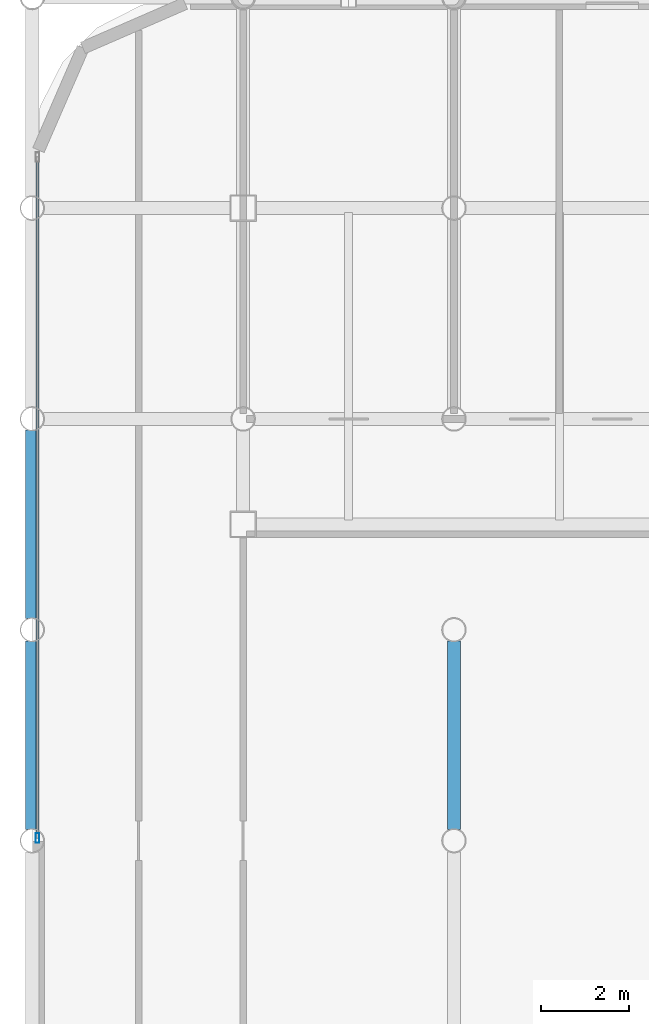
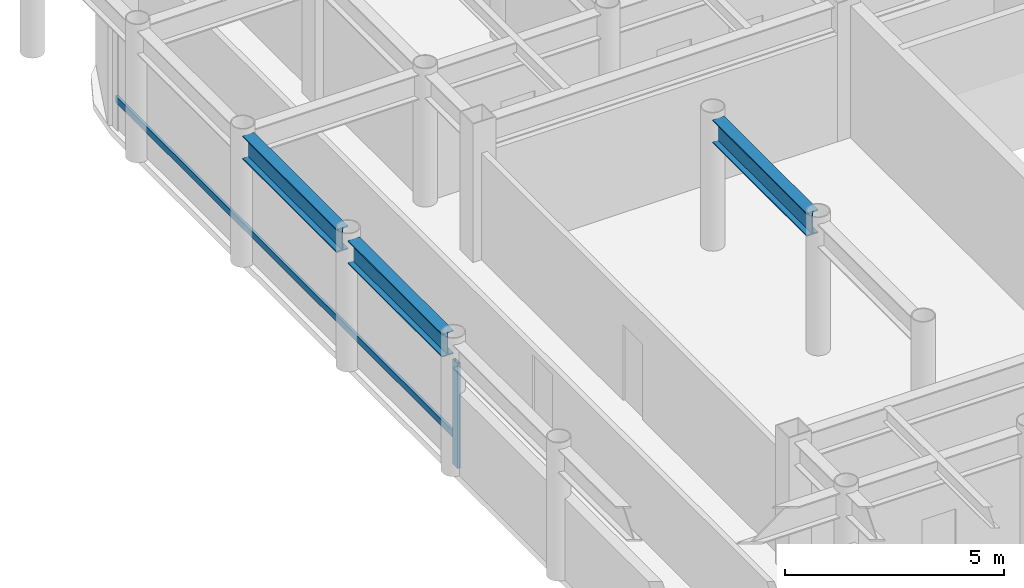
# One storey, part 6 of 21: 3 beams, 2 members, 1 element without a shape of its own.
"""IFC4 building model written with IfcOpenShell, lengths in metres."""

from ifc_helpers import new_model, si_unit, direction, frame, origin, origin_2d, place, context, subcontext, project, spatial, hollow_rectangle, i_section, extrude, material, layer, layer_set, material_profile, profile_set, type_object, element, aggregate, save


model = new_model("IFC4")

# Units and contexts
model_context = context("Model", 3, precision=1e-05, world=origin(), true_north=direction((0.0, 1.0)))
body_context = subcontext(model_context, "Body", "Model", "MODEL_VIEW")
ifc_project = project(units=[si_unit("LENGTHUNIT", "METRE"), si_unit("AREAUNIT", "SQUARE_METRE"), si_unit("VOLUMEUNIT", "CUBIC_METRE"), si_unit("PLANEANGLEUNIT", "RADIAN"), si_unit("MASSUNIT", "GRAM", prefix="KILO")], contexts=[model_context])

# Site, building, storey
site_placement = place(None, origin())
site = spatial("IfcSite", under=ifc_project, at=site_placement, CompositionType="ELEMENT")
building_placement = place(site_placement, origin())
building = spatial("IfcBuilding", under=site, at=building_placement, Name="Kallvorn Hotel Tower", CompositionType="ELEMENT")
storey_placement = place(building_placement, frame((0.0, 0.0, 214.60009765625)))
storey = spatial("IfcBuildingStorey", under=building, at=storey_placement, Name="L53", CompositionType="ELEMENT", Elevation=214.60009765625)

# Beams
ifc_material_1 = material(Name="Structural steel S355JR", Category="steel")
ifc_material_profile_1 = material_profile(ifc_material_1, i_section(OverallWidth=0.300048828125, OverallDepth=0.64990234375, WebThickness=0.01611328125, FlangeThickness=0.031005859375, at=origin_2d()), Name="HE 650 B")
ifc_profile_set_1 = profile_set([ifc_material_profile_1], Name="Structural steel S355JR")
beam_type = type_object("IfcBeamType", Name="BM_HE650B", PredefinedType="BEAM", material=ifc_profile_set_1)
for number, where, z_axis, x_axis, name in (
    (1, (-28.800048828125, 0.25439453125, 3.344970703125), (0.0, 1.0, 0.0), (-1.0, 0.0, 0.0), "L54 Primary Y-Girder 77"),
    (2, (-28.800048828125, 5.054443359375, 3.344970703125), (0.0, 1.0, 0.0), (-1.0, 0.0, 0.0), "L54 Primary Y-Girder 78"),
    (3, (-19.199951171875, 0.25439453125, 3.344970703125), (0.0, 1.0, 0.0), (-1.0, 0.0, 0.0), "L54 Primary Y-Girder 93"),
):
    element("IfcBeam", number, at=place(storey_placement, frame(where, z_axis=z_axis, x_axis=x_axis)), inside=storey, type_object=beam_type, Name=name, PredefinedType="BEAM", context=body_context, shape_type="SweptSolid", body=[
        extrude(i_section(OverallWidth=0.300048828125, OverallDepth=0.64990234375, WebThickness=0.01611328125, FlangeThickness=0.031005859375, at=origin_2d()), origin(), (0.0, 0.0, 1.0), 4.291015625),
    ])

# Curtain wall, members
ifc_material_2 = material(Name="Thermally broken black-anodised aluminium AA 6063-T6", Category="aluminium")
ifc_layer = layer(ifc_material_2, 0.22998046875)
ifc_layer_set = layer_set([ifc_layer], Name="CW_SYS_5_HOTEL_HIGH")
curtain_wall_type = type_object("IfcCurtainWallType", Name="CW_SYS_5_HOTEL_HIGH", PredefinedType="USERDEFINED", material=ifc_layer_set)
curtain_wall_placement = place(storey_placement, origin())
curtain_wall = element("IfcCurtainWall", 4, at=curtain_wall_placement, inside=storey, type_object=curtain_wall_type, Name="L53 Dark-Glass Curtain Wall CW-L53-WN", ObjectType="UNITISED CURTAIN WALL", PredefinedType="USERDEFINED")
ifc_material_3 = material(Name="Thermally broken black-anodised aluminium AA 6063-T6", Category="aluminium")
ifc_material_profile_2 = material_profile(ifc_material_3, hollow_rectangle(XDim=0.080078125, YDim=0.219970703125, WallThickness=0.0048828125, at=origin_2d()), Name="MUL 220x80")
ifc_profile_set_2 = profile_set([ifc_material_profile_2], Name="Thermally broken black-anodised aluminium AA 6063-T6")
member_type_1 = type_object("IfcMemberType", Name="CW_MULLION_220x80", PredefinedType="MULLION", material=ifc_profile_set_2)
member_1_placement = place(storey_placement, frame((-28.679931640625, 0.06005859375, 0.02001953125), z_axis=(0.0, 0.0, 1.0), x_axis=(1.0, 0.0, 0.0)))
member_1 = element("IfcMember", 5, at=member_1_placement, type_object=member_type_1, Name="CW-L53-WN Mullion 00", PredefinedType="MULLION", context=body_context, shape_type="SweptSolid", body=[
    extrude(hollow_rectangle(XDim=0.080078125, YDim=0.219970703125, WallThickness=0.0048828125, at=origin_2d()), origin(), (0.0, 0.0, 1.0), 2.929931640625),
])
ifc_material_4 = material(Name="Thermally broken black-anodised aluminium AA 6063-T6", Category="aluminium")
ifc_material_profile_3 = material_profile(ifc_material_4, hollow_rectangle(XDim=0.070068359375, YDim=0.179931640625, WallThickness=0.00390625, at=origin_2d()), Name="TRN 180x70")
ifc_profile_set_3 = profile_set([ifc_material_profile_3], Name="Thermally broken black-anodised aluminium AA 6063-T6")
member_type_2 = type_object("IfcMemberType", Name="CW_TRANSOM_180x70", PredefinedType="USERDEFINED", material=ifc_profile_set_3)
member_2_placement = place(storey_placement, frame((-28.679931640625, 0.06005859375, 0.849853515625), z_axis=(0.0, 1.0, 0.0), x_axis=(-1.0, 0.0, 0.0)))
member_2 = element("IfcMember", 6, at=member_2_placement, type_object=member_type_2, Name="CW-L53-WN Transom 00M", ObjectType="TRANSOM", PredefinedType="USERDEFINED", context=body_context, shape_type="SweptSolid", body=[
    extrude(hollow_rectangle(XDim=0.070068359375, YDim=0.179931640625, WallThickness=0.00390625, at=origin_2d()), origin(), (0.0, 0.0, 1.0), 15.5),
])
aggregate(curtain_wall, [member_1, member_2])

save(model, "model.ifc")
